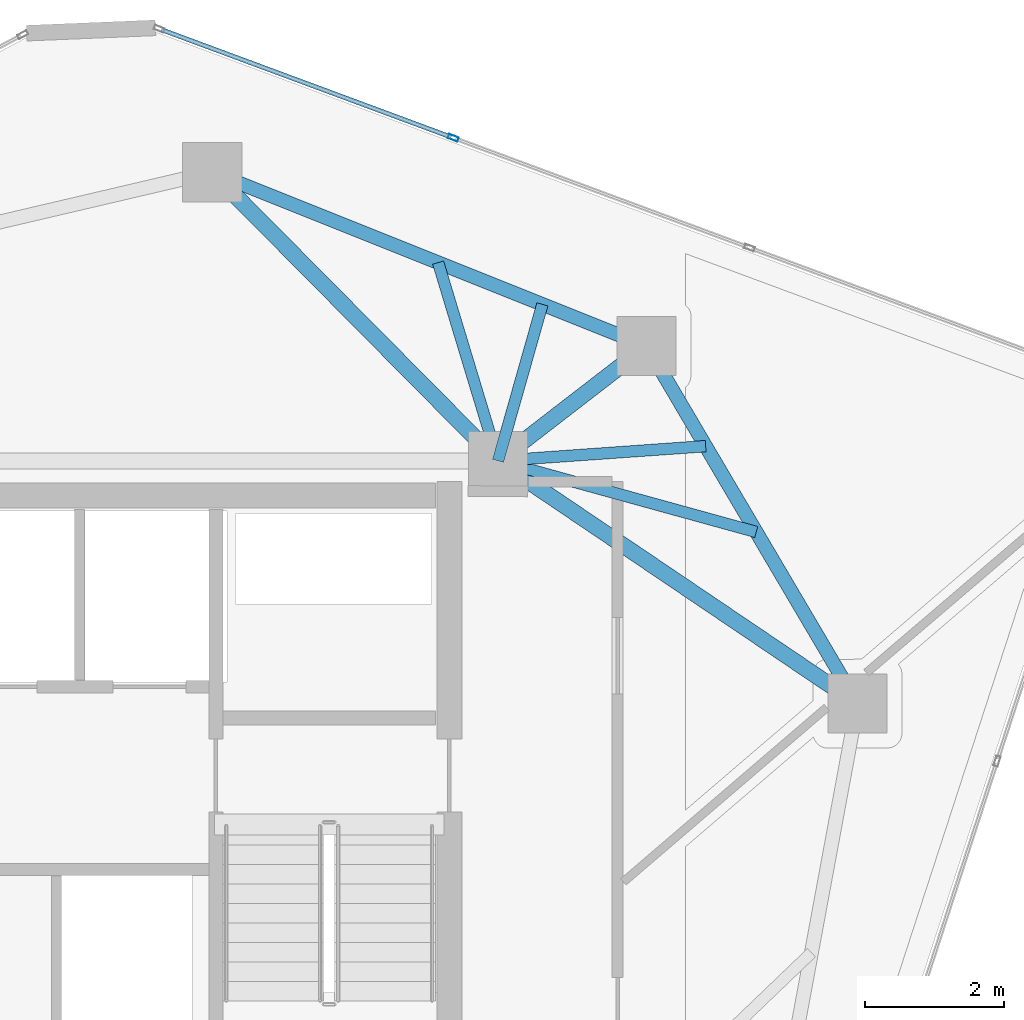
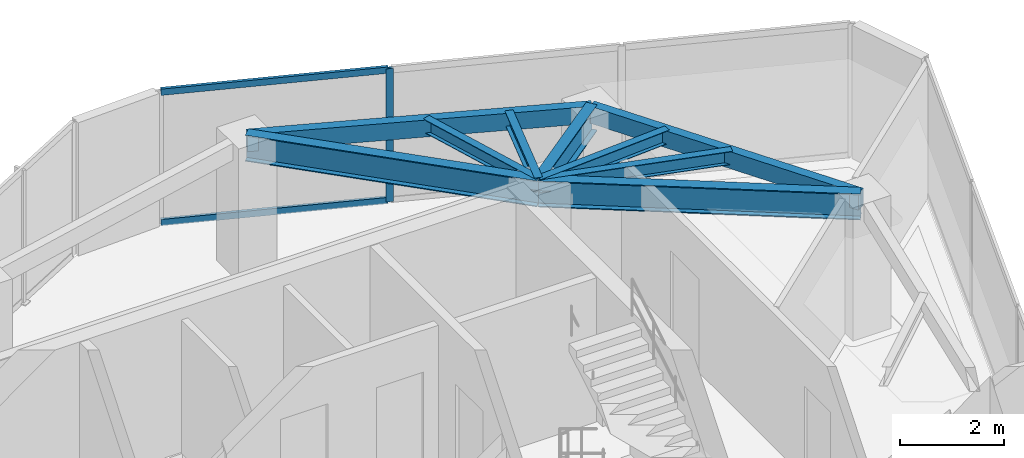
# One storey, part 13 of 20: 9 beams, 3 members, 1 element without a shape of its own.
"""IFC4 building model written with IfcOpenShell, lengths in metres."""

from ifc_helpers import new_model, si_unit, direction, frame, origin, origin_2d, place, context, subcontext, project, spatial, hollow_rectangle, i_section, extrude, source, transform, mapped, material, layer, layer_set, material_profile, profile_set, type_object, type_shapes, element, aggregate, save


model = new_model("IFC4")

# Units and contexts
model_context = context("Model", 3, precision=1e-05, world=origin(), true_north=direction((0.0, 1.0)))
body_context = subcontext(model_context, "Body", "Model", "MODEL_VIEW")
ifc_project = project(units=[si_unit("LENGTHUNIT", "METRE"), si_unit("AREAUNIT", "SQUARE_METRE"), si_unit("VOLUMEUNIT", "CUBIC_METRE"), si_unit("PLANEANGLEUNIT", "RADIAN"), si_unit("MASSUNIT", "GRAM", prefix="KILO")], contexts=[model_context])

# Site, building, storey
site_placement = place(None, origin())
site = spatial("IfcSite", under=ifc_project, at=site_placement, CompositionType="ELEMENT")
building_placement = place(site_placement, origin())
building = spatial("IfcBuilding", under=site, at=building_placement, Name="Talar Marvaseh", CompositionType="ELEMENT")
storey_placement = place(building_placement, frame((0.0, 0.0, 261.199951171875)))
storey = spatial("IfcBuildingStorey", under=building, at=storey_placement, Name="L69", CompositionType="ELEMENT", Elevation=261.199951171875)

# Beams
ifc_material_1 = material(Name="Steel S355", Category="steel")
ifc_material_profile_1 = material_profile(ifc_material_1, hollow_rectangle(XDim=0.199951171875, YDim=0.39990234375, WallThickness=0.013916015625, at=origin_2d()), Name="RHS400x200x14")
ifc_profile_set_1 = profile_set([ifc_material_profile_1], Name="Steel S355")
beam_type_1 = type_object("IfcBeamType", Name="Zone 3 Perimeter Spandrel Beam RHS400x200x14", PredefinedType="SPANDREL", material=ifc_profile_set_1)
beam_1_placement = place(storey_placement, frame((29.18798828125, 41.052001953125, 2.93994140625), z_axis=(0.928426659475, -0.371515730456, 0.0), x_axis=(0.371515730456, 0.928426659475, 0.0)))
element("IfcBeam", 1, at=beam_1_placement, inside=storey, type_object=beam_type_1, Name="L69 Zone 3 Perimeter Spandrel Beam RHS400x200x14", PredefinedType="SPANDREL", context=body_context, shape_type="SweptSolid", body=[
    extrude(hollow_rectangle(XDim=0.199951171875, YDim=0.39990234375, WallThickness=0.013916015625, at=origin_2d()), origin(), (0.0, 0.0, 1.0), 6.73193359375),
])
beam_2_placement = place(storey_placement, frame((35.43798828125, 38.551025390625, 2.93994140625), z_axis=(0.507825587611, -0.861459907696, 0.0), x_axis=(0.861459907696, 0.507825587611, 0.0)))
element("IfcBeam", 2, at=beam_2_placement, inside=storey, type_object=beam_type_1, Name="L69 Zone 3 Perimeter Spandrel Beam RHS400x200x14", PredefinedType="SPANDREL", context=body_context, shape_type="SweptSolid", body=[
    extrude(hollow_rectangle(XDim=0.199951171875, YDim=0.39990234375, WallThickness=0.013916015625, at=origin_2d()), origin(), (0.0, 0.0, 1.0), 5.972412109375),
])
ifc_material_profile_2 = material_profile(ifc_material_1, i_section(OverallWidth=0.166015625, OverallDepth=0.31298828125, WebThickness=0.006591796875, FlangeThickness=0.01123046875, at=origin_2d()), Name="W310x45")
ifc_profile_set_2 = profile_set([ifc_material_profile_2], Name="Steel S355")
beam_type_2 = type_object("IfcBeamType", Name="Zone 3 Secondary Floor Joist W310x45", PredefinedType="JOIST", material=ifc_profile_set_2)
beam_3_placement = place(storey_placement, frame((32.43798828125, 39.75146484375, 2.983642578125), z_axis=(0.289377277289, -0.957215122837, 0.0), x_axis=(0.957215122837, 0.289377277289, 0.0)))
element("IfcBeam", 3, at=beam_3_placement, inside=storey, type_object=beam_type_2, Name="L69 Zone 3 Secondary Floor Joist W310x45", PredefinedType="JOIST", context=body_context, shape_type="SweptSolid", body=[
    extrude(i_section(OverallWidth=0.166015625, OverallDepth=0.31298828125, WebThickness=0.006591796875, FlangeThickness=0.01123046875, at=origin_2d()), origin(), (0.0, 0.0, 1.0), 2.97900390625),
])
beam_4_placement = place(storey_placement, frame((33.93798828125, 39.151123046875, 2.983642578125), z_axis=(-0.272639596879, -0.962116235293, 0.0), x_axis=(0.962116235293, -0.272639596879, 0.0)))
element("IfcBeam", 4, at=beam_4_placement, inside=storey, type_object=beam_type_2, Name="L69 Zone 3 Secondary Floor Joist W310x45", PredefinedType="JOIST", context=body_context, shape_type="SweptSolid", body=[
    extrude(i_section(OverallWidth=0.166015625, OverallDepth=0.31298828125, WebThickness=0.006591796875, FlangeThickness=0.01123046875, at=origin_2d()), origin(), (0.0, 0.0, 1.0), 2.33984375),
])
beam_5_placement = place(storey_placement, frame((36.287109375, 37.1103515625, 2.983642578125), z_axis=(-0.99752734531, -0.070279409208, 0.0), x_axis=(0.070279409208, -0.99752734531, 0.0)))
element("IfcBeam", 5, at=beam_5_placement, inside=storey, type_object=beam_type_2, Name="L69 Zone 3 Secondary Floor Joist W310x45", PredefinedType="JOIST", context=body_context, shape_type="SweptSolid", body=[
    extrude(i_section(OverallWidth=0.166015625, OverallDepth=0.31298828125, WebThickness=0.006591796875, FlangeThickness=0.01123046875, at=origin_2d()), origin(), (0.0, 0.0, 1.0), 2.994384765625),
])
beam_6_placement = place(storey_placement, frame((37.01513671875, 35.87548828125, 2.983642578125), z_axis=(-0.964021733175, 0.265823433818, 0.0), x_axis=(-0.265823433818, -0.964021733175, 0.0)))
element("IfcBeam", 6, at=beam_6_placement, inside=storey, type_object=beam_type_2, Name="L69 Zone 3 Secondary Floor Joist W310x45", PredefinedType="JOIST", context=body_context, shape_type="SweptSolid", body=[
    extrude(i_section(OverallWidth=0.166015625, OverallDepth=0.31298828125, WebThickness=0.006591796875, FlangeThickness=0.01123046875, at=origin_2d()), origin(), (0.0, 0.0, 1.0), 3.853759765625),
])
ifc_material_profile_3 = material_profile(ifc_material_1, i_section(OverallWidth=0.22998046875, OverallDepth=0.616943359375, WebThickness=0.01318359375, FlangeThickness=0.022216796875, at=origin_2d()), Name="W610x140")
ifc_profile_set_3 = profile_set([ifc_material_profile_3], Name="Steel S355")
beam_type_3 = type_object("IfcBeamType", Name="Zone 4 Radial Floor Girder W610x140", PredefinedType="BEAM", material=ifc_profile_set_3)
beam_7_placement = place(storey_placement, frame((29.18798828125, 41.052001953125, 2.83154296875), z_axis=(0.703672658083, -0.710524306598, 0.0), x_axis=(0.710524306598, 0.703672658083, 0.0)))
element("IfcBeam", 7, at=beam_7_placement, inside=storey, type_object=beam_type_3, Name="L69 Zone 4 Radial Floor Girder W610x140", PredefinedType="BEAM", context=body_context, shape_type="SweptSolid", body=[
    extrude(i_section(OverallWidth=0.22998046875, OverallDepth=0.616943359375, WebThickness=0.01318359375, FlangeThickness=0.022216796875, at=origin_2d()), origin(), (0.0, 0.0, 1.0), 5.84375),
])
beam_8_placement = place(storey_placement, frame((35.43798828125, 38.551025390625, 2.83154296875), z_axis=(-0.791449946636, -0.611233982996, 0.0), x_axis=(0.611233982996, -0.791449946636, 0.0)))
element("IfcBeam", 8, at=beam_8_placement, inside=storey, type_object=beam_type_3, Name="L69 Zone 4 Radial Floor Girder W610x140", PredefinedType="BEAM", context=body_context, shape_type="SweptSolid", body=[
    extrude(i_section(OverallWidth=0.22998046875, OverallDepth=0.616943359375, WebThickness=0.01318359375, FlangeThickness=0.022216796875, at=origin_2d()), origin(), (0.0, 0.0, 1.0), 2.701416015625),
])
beam_9_placement = place(storey_placement, frame((38.470947265625, 33.406005859375, 2.83154296875), z_axis=(-0.828585535277, 0.559862492698, 0.0), x_axis=(-0.559862492698, -0.828585535277, 0.0)))
element("IfcBeam", 9, at=beam_9_placement, inside=storey, type_object=beam_type_3, Name="L69 Zone 4 Radial Floor Girder W610x140", PredefinedType="BEAM", context=body_context, shape_type="SweptSolid", body=[
    extrude(i_section(OverallWidth=0.22998046875, OverallDepth=0.616943359375, WebThickness=0.01318359375, FlangeThickness=0.022216796875, at=origin_2d()), origin(), (0.0, 0.0, 1.0), 6.24072265625),
])

# Curtain wall, members
ifc_material_2 = material(Name="Architectural Aluminium", Category="aluminium")
ifc_layer = layer(ifc_material_2, 0.179931640625)
ifc_layer_set = layer_set([ifc_layer], Name="Architectural Aluminium")
curtain_wall_type = type_object("IfcCurtainWallType", Name="Unitised High-Wind Sky Curtain Wall Z4", PredefinedType="NOTDEFINED", material=ifc_layer_set)
curtain_wall_placement = place(storey_placement, origin())
curtain_wall = element("IfcCurtainWall", 10, at=curtain_wall_placement, inside=storey, type_object=curtain_wall_type, Name="L69 Unitised High-Wind Sky Curtain Wall Z4", PredefinedType="NOTDEFINED")
ifc_material_profile_4 = material_profile(ifc_material_2, hollow_rectangle(XDim=0.06494140625, YDim=0.14990234375, WallThickness=0.00390625, at=origin_2d()), Name="RHS150x65x4")
ifc_profile_set_4 = profile_set([ifc_material_profile_4], Name="Architectural Aluminium")
member_type_1 = type_object("IfcMemberType", Name="Unitised Curtain Wall Slim Transom RHS150x65x4", PredefinedType="USERDEFINED", material=ifc_profile_set_4)
shared_shape_1 = source(origin(), body_context, "Body", "SweptSolid", [
    extrude(hollow_rectangle(XDim=0.06494140625, YDim=0.14990234375, WallThickness=0.00390625, at=origin_2d()), origin(), (0.0, 0.0, 1.0), 4.447509765625),
])
type_shapes(member_type_1, [shared_shape_1])
member_1_placement = place(storey_placement, frame((28.4560546875, 43.103515625, 0.032470703125), z_axis=(0.937604324104, -0.347704086, 0.0), x_axis=(0.347704086, 0.937604324104, 0.0)))
member_1 = element("IfcMember", 11, at=member_1_placement, type_object=member_type_1, Name="CW-Z4 transom 1.1", ObjectType="TRANSOM", PredefinedType="USERDEFINED", context=body_context, shape_type="MappedRepresentation", body=[
    mapped(shared_shape_1, transform((0.0, 0.0, 0.0), x_axis=(1.0, 0.0, 0.0), y_axis=(0.0, 1.0, 0.0), z_axis=(0.0, 0.0, 1.0), scale=1.0)),
])
member_2_placement = place(storey_placement, frame((28.4560546875, 43.103515625, 3.107666015625), z_axis=(0.937604324104, -0.347704086, 0.0), x_axis=(0.347704086, 0.937604324104, 0.0)))
member_2 = element("IfcMember", 12, at=member_2_placement, type_object=member_type_1, Name="CW-Z4 transom 1.2", ObjectType="TRANSOM", PredefinedType="USERDEFINED", context=body_context, shape_type="MappedRepresentation", body=[
    mapped(shared_shape_1, transform((0.0, 0.0, 0.0), x_axis=(1.0, 0.0, 0.0), y_axis=(0.0, 1.0, 0.0), z_axis=(0.0, 0.0, 1.0), scale=1.0)),
])
ifc_material_profile_5 = material_profile(ifc_material_2, hollow_rectangle(XDim=0.06494140625, YDim=0.14990234375, WallThickness=0.00390625, at=origin_2d()), Name="RHS150x65x4")
ifc_profile_set_5 = profile_set([ifc_material_profile_5], Name="Architectural Aluminium")
member_type_2 = type_object("IfcMemberType", Name="Unitised Curtain Wall Slim Mullion RHS150x65x4", PredefinedType="MULLION", material=ifc_profile_set_5)
shared_shape_2 = source(origin(), body_context, "Body", "SweptSolid", [
    extrude(hollow_rectangle(XDim=0.06494140625, YDim=0.14990234375, WallThickness=0.00390625, at=origin_2d()), origin(), (0.0, 0.0, 1.0), 3.14013671875),
])
type_shapes(member_type_2, [shared_shape_2])
member_3_placement = place(storey_placement, frame((32.65625, 41.5458984375, 0.0), z_axis=(0.0, 0.0, 1.0), x_axis=(0.347687446125, 0.937610494719, 0.0)))
member_3 = element("IfcMember", 13, at=member_3_placement, type_object=member_type_2, Name="CW-Z4 mullion 2", PredefinedType="MULLION", context=body_context, shape_type="MappedRepresentation", body=[
    mapped(shared_shape_2, transform((0.0, 0.0, 0.0), x_axis=(1.0, 0.0, 0.0), y_axis=(0.0, 1.0, 0.0), z_axis=(0.0, 0.0, 1.0), scale=1.0)),
])
aggregate(curtain_wall, [member_3, member_1, member_2])

save(model, "model.ifc")
